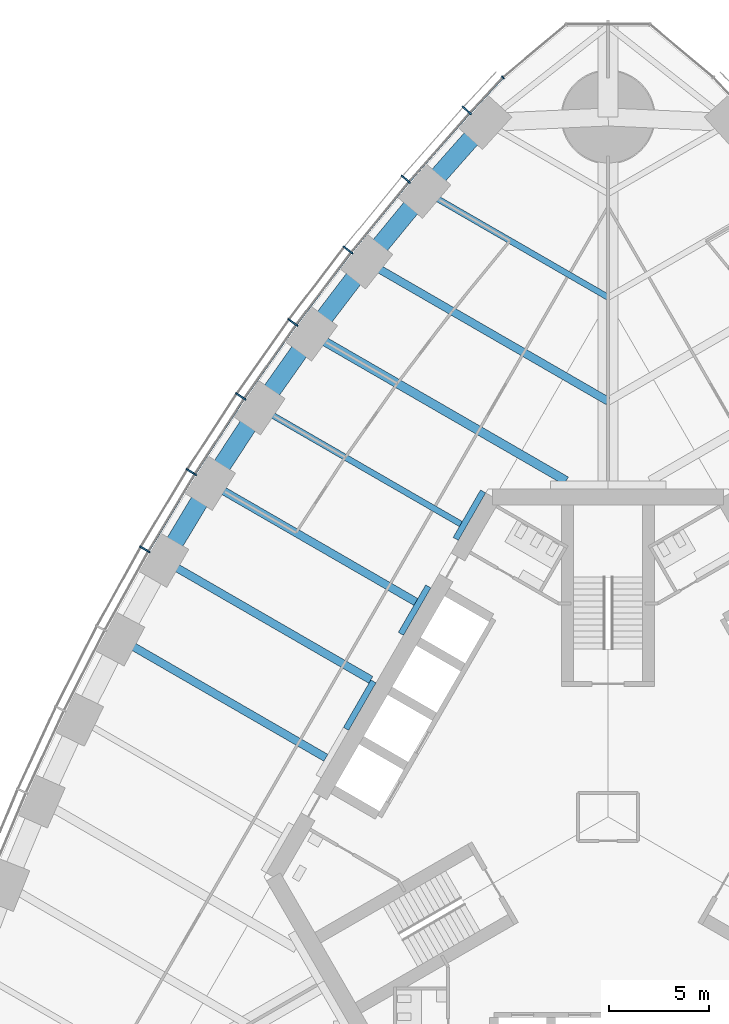
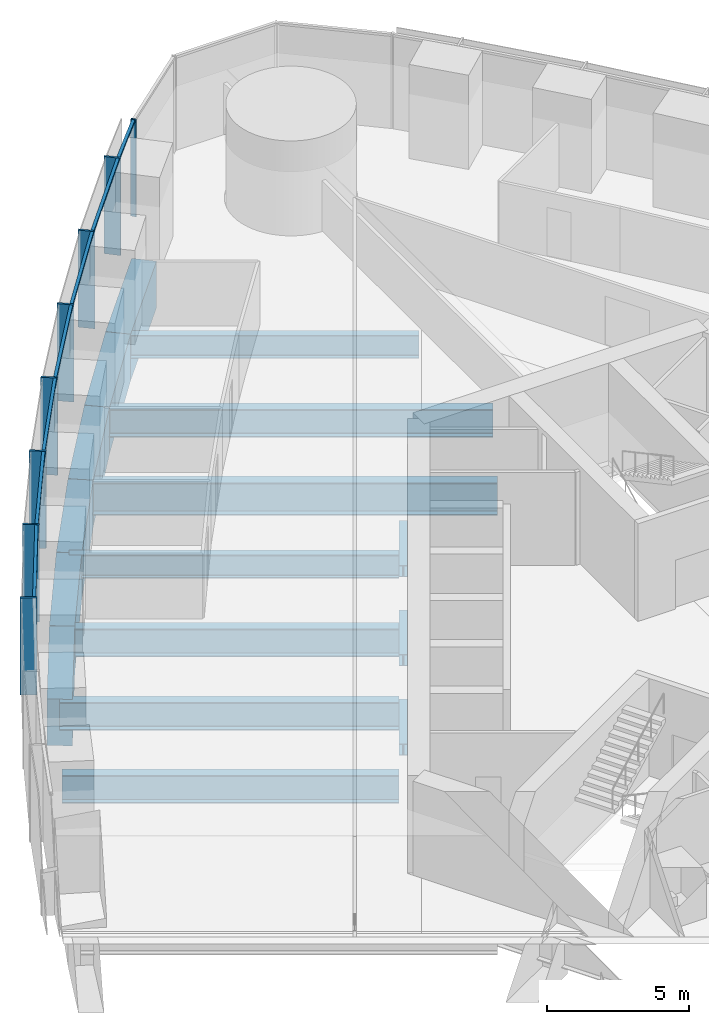
# One storey, part 4 of 18: 16 beams, 15 members, 2 elements without a shape of their own.
"""IFC4 building model written with IfcOpenShell, lengths in metres."""

from ifc_helpers import new_model, si_unit, direction, frame, origin, origin_2d, place, context, subcontext, project, spatial, rectangle, i_section, extrude, material, material_profile, profile_set, type_object, element, aggregate, save


model = new_model("IFC4")

# Units and contexts
model_context = context("Model", 3, precision=1e-05, world=origin(), true_north=direction((0.0, 1.0)))
body_context = subcontext(model_context, "Body", "Model", "MODEL_VIEW")
ifc_project = project(units=[si_unit("LENGTHUNIT", "METRE"), si_unit("AREAUNIT", "SQUARE_METRE"), si_unit("VOLUMEUNIT", "CUBIC_METRE"), si_unit("PLANEANGLEUNIT", "RADIAN"), si_unit("MASSUNIT", "GRAM", prefix="KILO")], contexts=[model_context])

# Site, building, storey
site_placement = place(None, origin())
site = spatial("IfcSite", under=ifc_project, at=site_placement, CompositionType="ELEMENT")
building_placement = place(site_placement, origin())
building = spatial("IfcBuilding", under=site, at=building_placement, Name="Trefoil Bronze Tower", CompositionType="ELEMENT")
storey_placement = place(building_placement, frame((0.0, 0.0, 115.699951171875)))
storey = spatial("IfcBuildingStorey", under=building, at=storey_placement, Name="L26", CompositionType="ELEMENT", Elevation=115.699951171875)

# Curtain wall, members
ifc_material_1 = material(Name="Tinted solar-control glass", Category="glass")
curtain_wall_type_1 = type_object("IfcCurtainWallType", Name="Bronze office curtain wall", PredefinedType="USERDEFINED", material=ifc_material_1)
curtain_wall_1_placement = place(storey_placement, origin())
curtain_wall_1 = element("IfcCurtainWall", 1, at=curtain_wall_1_placement, inside=storey, type_object=curtain_wall_type_1, Name="CW-A L26 F3", ObjectType="CURTAIN WALL", PredefinedType="USERDEFINED")
ifc_material_2 = material(Name="Bronze-finish aluminium", Category="aluminium")
ifc_material_profile_1 = material_profile(ifc_material_2, rectangle(XDim=0.60009765625, YDim=0.080078125, at=origin_2d()), Name="CW-A mullion")
ifc_profile_set_1 = profile_set([ifc_material_profile_1], Name="Bronze-finish aluminium")
member_type_1 = type_object("IfcMemberType", Name="Bronze office curtain wall mullion", PredefinedType="MULLION", material=ifc_profile_set_1)
member_1_placement = place(storey_placement, frame((-7.070068359375, 35.332275390625, 0.0), z_axis=(0.0, 0.0, 1.0), x_axis=(0.740360700327, -0.672209813534, 0.0)))
member_1 = element("IfcMember", 2, at=member_1_placement, type_object=member_type_1, Name="CW-A L26 F3 mullion 2", PredefinedType="MULLION", context=body_context, shape_type="SweptSolid", body=[
    extrude(rectangle(XDim=0.60009765625, YDim=0.080078125, at=origin_2d()), origin(), (0.0, 0.0, 1.0), 4.179931640625),
])
member_2_placement = place(storey_placement, frame((-10.11474609375, 31.8828125, 0.0), z_axis=(0.0, 0.0, 1.0), x_axis=(0.761721651066, -0.647904411389, 0.0)))
member_2 = element("IfcMember", 3, at=member_2_placement, type_object=member_type_1, Name="CW-A L26 F3 mullion 3", PredefinedType="MULLION", context=body_context, shape_type="SweptSolid", body=[
    extrude(rectangle(XDim=0.60009765625, YDim=0.080078125, at=origin_2d()), origin(), (0.0, 0.0, 1.0), 4.179931640625),
])
member_3_placement = place(storey_placement, frame((-13.01220703125, 28.34716796875, 0.0), z_axis=(0.0, 0.0, 1.0), x_axis=(0.78487913905, -0.619648882098, 0.0)))
member_3 = element("IfcMember", 4, at=member_3_placement, type_object=member_type_1, Name="CW-A L26 F3 mullion 4", PredefinedType="MULLION", context=body_context, shape_type="SweptSolid", body=[
    extrude(rectangle(XDim=0.60009765625, YDim=0.080078125, at=origin_2d()), origin(), (0.0, 0.0, 1.0), 4.179931640625),
])
member_4_placement = place(storey_placement, frame((-15.764404296875, 24.7275390625, 0.0), z_axis=(0.0, 0.0, 1.0), x_axis=(0.806874522901, -0.590722865897, 0.0)))
member_4 = element("IfcMember", 5, at=member_4_placement, type_object=member_type_1, Name="CW-A L26 F3 mullion 5", PredefinedType="MULLION", context=body_context, shape_type="SweptSolid", body=[
    extrude(rectangle(XDim=0.60009765625, YDim=0.080078125, at=origin_2d()), origin(), (0.0, 0.0, 1.0), 4.179931640625),
])
member_5_placement = place(storey_placement, frame((-18.373046875, 21.025146484375, 0.0), z_axis=(0.0, 0.0, 1.0), x_axis=(0.827723925749, -0.561135547566, 0.0)))
member_5 = element("IfcMember", 6, at=member_5_placement, type_object=member_type_1, Name="CW-A L26 F3 mullion 6", PredefinedType="MULLION", context=body_context, shape_type="SweptSolid", body=[
    extrude(rectangle(XDim=0.60009765625, YDim=0.080078125, at=origin_2d()), origin(), (0.0, 0.0, 1.0), 4.179931640625),
])
member_6_placement = place(storey_placement, frame((-20.840087890625, 17.24072265625, 0.0), z_axis=(0.0, 0.0, 1.0), x_axis=(0.84743864936, -0.530893337283, 0.0)))
member_6 = element("IfcMember", 7, at=member_6_placement, type_object=member_type_1, Name="CW-A L26 F3 mullion 7", PredefinedType="MULLION", context=body_context, shape_type="SweptSolid", body=[
    extrude(rectangle(XDim=0.60009765625, YDim=0.080078125, at=origin_2d()), origin(), (0.0, 0.0, 1.0), 4.179931640625),
])
member_7_placement = place(storey_placement, frame((-23.166015625, 13.374755859375, 0.0), z_axis=(0.0, 0.0, 1.0), x_axis=(0.866025403784, -0.5, 0.0)))
member_7 = element("IfcMember", 8, at=member_7_placement, type_object=member_type_1, Name="CW-A L26 F3 mullion 8", PredefinedType="MULLION", context=body_context, shape_type="SweptSolid", body=[
    extrude(rectangle(XDim=0.60009765625, YDim=0.080078125, at=origin_2d()), origin(), (0.0, 0.0, 1.0), 4.179931640625),
])
ifc_material_3 = material(Name="Bronze-finish aluminium", Category="aluminium")
ifc_material_profile_2 = material_profile(ifc_material_3, rectangle(XDim=0.1201171875, YDim=0.10009765625, at=origin_2d()), Name="CW-A transom")
ifc_profile_set_2 = profile_set([ifc_material_profile_2], Name="Bronze-finish aluminium")
member_type_2 = type_object("IfcMemberType", Name="Bronze office curtain wall transom", PredefinedType="USERDEFINED", material=ifc_profile_set_2)
member_8_placement = place(storey_placement, frame((-5.296630859375, 36.9384765625, 4.130126953125), z_axis=(-0.682489214428, -0.730895664366, 0.0), x_axis=(0.730895664366, -0.682489214428, 0.0)))
member_8 = element("IfcMember", 9, at=member_8_placement, type_object=member_type_2, Name="CW-A L26 F3 transom 1", ObjectType="TRANSOM", PredefinedType="USERDEFINED", context=body_context, shape_type="SweptSolid", body=[
    extrude(rectangle(XDim=0.1201171875, YDim=0.10009765625, at=origin_2d()), origin(), (0.0, 0.0, 1.0), 2.340087890625),
])
member_9_placement = place(storey_placement, frame((-6.949462890625, 35.166748046875, 4.130126953125), z_axis=(-0.66173618877, -0.749736764786, 0.0), x_axis=(0.749736764786, -0.66173618877, 0.0)))
member_9 = element("IfcMember", 10, at=member_9_placement, type_object=member_type_2, Name="CW-A L26 F3 transom 2", ObjectType="TRANSOM", PredefinedType="USERDEFINED", context=body_context, shape_type="SweptSolid", body=[
    extrude(rectangle(XDim=0.1201171875, YDim=0.10009765625, at=origin_2d()), origin(), (0.0, 0.0, 1.0), 4.510986328125),
])
member_10_placement = place(storey_placement, frame((-9.98876953125, 31.720947265625, 4.130126953125), z_axis=(-0.633848872297, -0.773456919995, 0.0), x_axis=(0.773456919995, -0.633848872297, 0.0)))
member_10 = element("IfcMember", 11, at=member_10_placement, type_object=member_type_2, Name="CW-A L26 F3 transom 3", ObjectType="TRANSOM", PredefinedType="USERDEFINED", context=body_context, shape_type="SweptSolid", body=[
    extrude(rectangle(XDim=0.1201171875, YDim=0.10009765625, at=origin_2d()), origin(), (0.0, 0.0, 1.0), 4.480224609375),
])
member_11_placement = place(storey_placement, frame((-12.880615234375, 28.18994140625, 4.130126953125), z_axis=(-0.605229114572, -0.796051329296, 0.0), x_axis=(0.796051329296, -0.605229114572, 0.0)))
member_11 = element("IfcMember", 12, at=member_11_placement, type_object=member_type_2, Name="CW-A L26 F3 transom 4", ObjectType="TRANSOM", PredefinedType="USERDEFINED", context=body_context, shape_type="SweptSolid", body=[
    extrude(rectangle(XDim=0.1201171875, YDim=0.10009765625, at=origin_2d()), origin(), (0.0, 0.0, 1.0), 4.456298828125),
])
member_12_placement = place(storey_placement, frame((-15.626953125, 24.5751953125, 4.130126953125), z_axis=(-0.576017858824, -0.817437108478, 0.0), x_axis=(0.817437108478, -0.576017858824, 0.0)))
member_12 = element("IfcMember", 13, at=member_12_placement, type_object=member_type_2, Name="CW-A L26 F3 transom 5", ObjectType="TRANSOM", PredefinedType="USERDEFINED", context=body_context, shape_type="SweptSolid", body=[
    extrude(rectangle(XDim=0.1201171875, YDim=0.10009765625, at=origin_2d()), origin(), (0.0, 0.0, 1.0), 4.4384765625),
])
member_13_placement = place(storey_placement, frame((-18.23046875, 20.877685546875, 4.130126953125), z_axis=(-0.546079336226, -0.837733465099, 0.0), x_axis=(0.837733465099, -0.546079336226, 0.0)))
member_13 = element("IfcMember", 14, at=member_13_placement, type_object=member_type_2, Name="CW-A L26 F3 transom 6", ObjectType="TRANSOM", PredefinedType="USERDEFINED", context=body_context, shape_type="SweptSolid", body=[
    extrude(rectangle(XDim=0.1201171875, YDim=0.10009765625, at=origin_2d()), origin(), (0.0, 0.0, 1.0), 4.426513671875),
])
member_14_placement = place(storey_placement, frame((-20.692138671875, 17.0986328125, 4.130126953125), z_axis=(-0.515526794174, -0.856873458854, 0.0), x_axis=(0.856873458854, -0.515526794174, 0.0)))
member_14 = element("IfcMember", 15, at=member_14_placement, type_object=member_type_2, Name="CW-A L26 F3 transom 7", ObjectType="TRANSOM", PredefinedType="USERDEFINED", context=body_context, shape_type="SweptSolid", body=[
    extrude(rectangle(XDim=0.1201171875, YDim=0.10009765625, at=origin_2d()), origin(), (0.0, 0.0, 1.0), 4.4208984375),
])
aggregate(curtain_wall_1, [member_1, member_2, member_3, member_4, member_5, member_6, member_7, member_8, member_9, member_10, member_11, member_12, member_13, member_14])

# Curtain wall, member
ifc_material_4 = material(Name="Tinted solar-control glass", Category="glass")
curtain_wall_type_2 = type_object("IfcCurtainWallType", Name="Bronze rounded corner curtain wall", PredefinedType="USERDEFINED", material=ifc_material_4)
curtain_wall_2_placement = place(storey_placement, origin())
curtain_wall_2 = element("IfcCurtainWall", 16, at=curtain_wall_2_placement, inside=storey, type_object=curtain_wall_type_2, Name="CW-B L26 K2", ObjectType="CURTAIN WALL", PredefinedType="USERDEFINED")
ifc_material_5 = material(Name="Bronze-finish aluminium", Category="aluminium")
ifc_material_profile_3 = material_profile(ifc_material_5, rectangle(XDim=0.199951171875, YDim=0.06005859375, at=origin_2d()), Name="CW-B mullion")
ifc_profile_set_3 = profile_set([ifc_material_profile_3], Name="Bronze-finish aluminium")
member_type_3 = type_object("IfcMemberType", Name="Bronze rounded corner curtain wall mullion", PredefinedType="MULLION", material=ifc_profile_set_3)
member_15_placement = place(storey_placement, frame((-5.260498046875, 36.975830078125, 0.0), z_axis=(0.0, 0.0, 1.0), x_axis=(0.642787609687, -0.766044443119, 0.0)))
member_15 = element("IfcMember", 17, at=member_15_placement, type_object=member_type_3, Name="CW-B L26 K2 mullion 4", PredefinedType="MULLION", context=body_context, shape_type="SweptSolid", body=[
    extrude(rectangle(XDim=0.199951171875, YDim=0.06005859375, at=origin_2d()), origin(), (0.0, 0.0, 1.0), 4.179931640625),
])
aggregate(curtain_wall_2, [member_15])

# Beams
ifc_material_6 = material(Name="Steel C355", Category="steel")
ifc_material_profile_4 = material_profile(ifc_material_6, i_section(OverallWidth=0.300048828125, OverallDepth=0.5, WebThickness=0.014404296875, FlangeThickness=0.028076171875, FilletRadius=0.027099609375, at=origin_2d()), Name="HEB 500")
ifc_profile_set_4 = profile_set([ifc_material_profile_4], Name="Steel C355")
beam_type_1 = type_object("IfcBeamType", Name="Core seat beam HEB 500", PredefinedType="BEAM", material=ifc_profile_set_4)
for number, where, z_axis, x_axis, name in (
    (18, (-6.249755859375, 16.27490234375, -0.449951171875), (-0.500035825175, -0.866004719122, 0.0), (0.866004719122, -0.500035825175, 0.0), "Core seat beam F3/-2 L26"),
    (19, (-8.9921875, 11.52490234375, -0.449951171875), (-0.500035825175, -0.866004719122, 0.0), (0.866004719122, -0.500035825175, 0.0), "Core seat beam F3/-1 L26"),
    (20, (-11.734619140625, 6.77490234375, -0.449951171875), (-0.500035825175, -0.866004719122, 0.0), (0.866004719122, -0.500035825175, 0.0), "Core seat beam F3/+0 L26"),
):
    element("IfcBeam", number, at=place(storey_placement, frame(where, z_axis=z_axis, x_axis=x_axis)), inside=storey, type_object=beam_type_1, Name=name, PredefinedType="BEAM", context=body_context, shape_type="SweptSolid", body=[
        extrude(i_section(OverallWidth=0.300048828125, OverallDepth=0.5, WebThickness=0.014404296875, FlangeThickness=0.028076171875, FilletRadius=0.027099609375, at=origin_2d()), origin(), (0.0, 0.0, 1.0), 2.742431640625),
    ])
ifc_material_7 = material(Name="Steel C355", Category="steel")
ifc_material_profile_5 = material_profile(ifc_material_7, i_section(OverallWidth=0.300048828125, OverallDepth=1.0, WebThickness=0.01904296875, FlangeThickness=0.035888671875, FilletRadius=0.030029296875, at=origin_2d()), Name="HEB 1000")
ifc_profile_set_5 = profile_set([ifc_material_profile_5], Name="Steel C355")
beam_type_2 = type_object("IfcBeamType", Name="Floor beam HEB 1000", PredefinedType="BEAM", material=ifc_profile_set_5)
beam_1_placement = place(storey_placement, frame((-9.181884765625, 31.281982421875, -0.699951171875), z_axis=(0.866021079084, -0.500007490527, 0.0), x_axis=(0.500007490527, 0.866021079084, 0.0)))
element("IfcBeam", 21, at=beam_1_placement, inside=storey, type_object=beam_type_2, Name="Floor beam F3/-5 L26", PredefinedType="BEAM", context=body_context, shape_type="SweptSolid", body=[
    extrude(i_section(OverallWidth=0.300048828125, OverallDepth=1.0, WebThickness=0.01904296875, FlangeThickness=0.035888671875, FilletRadius=0.030029296875, at=origin_2d()), origin(), (0.0, 0.0, 1.0), 10.602294921875),
])
ifc_material_8 = material(Name="Steel C355", Category="steel")
ifc_material_profile_6 = material_profile(ifc_material_8, i_section(OverallWidth=0.302001953125, OverallDepth=1.008056640625, WebThickness=0.02099609375, FlangeThickness=0.0400390625, FilletRadius=0.030029296875, at=origin_2d()), Name="HEM 1000")
ifc_profile_set_6 = profile_set([ifc_material_profile_6], Name="Steel C355")
beam_type_3 = type_object("IfcBeamType", Name="Floor beam HEM 1000", PredefinedType="BEAM", material=ifc_profile_set_6)
beam_2_placement = place(storey_placement, frame((-17.43017578125, 20.45556640625, -0.703857421875), z_axis=(0.866030626868, -0.499990953245, 0.0), x_axis=(0.499990953245, 0.866030626868, 0.0)))
element("IfcBeam", 22, at=beam_2_placement, inside=storey, type_object=beam_type_3, Name="Floor beam F3/-2 L26", PredefinedType="BEAM", context=body_context, shape_type="SweptSolid", body=[
    extrude(i_section(OverallWidth=0.302001953125, OverallDepth=1.008056640625, WebThickness=0.02099609375, FlangeThickness=0.0400390625, FilletRadius=0.030029296875, at=origin_2d()), origin(), (0.0, 0.0, 1.0), 11.622802734375),
])
ifc_material_9 = material(Name="Steel C355", Category="steel")
ifc_material_profile_7 = material_profile(ifc_material_9, i_section(OverallWidth=0.39990234375, OverallDepth=1.199951171875, WebThickness=0.02001953125, FlangeThickness=0.0400390625, FilletRadius=0.010009765625, at=origin_2d()), Name="WPG 1200")
ifc_profile_set_7 = profile_set([ifc_material_profile_7], Name="Steel C355")
beam_type_4 = type_object("IfcBeamType", Name="Floor beam WPG 1200", PredefinedType="BEAM", material=ifc_profile_set_7)
beam_3_placement = place(storey_placement, frame((-12.07666015625, 27.757080078125, -0.800048828125), z_axis=(0.866026983775, -0.499997263366, 0.0), x_axis=(0.499997263366, 0.866026983775, 0.0)))
element("IfcBeam", 23, at=beam_3_placement, inside=storey, type_object=beam_type_4, Name="Floor beam F3/-4 L26", PredefinedType="BEAM", context=body_context, shape_type="SweptSolid", body=[
    extrude(i_section(OverallWidth=0.39990234375, OverallDepth=1.199951171875, WebThickness=0.02001953125, FlangeThickness=0.0400390625, FilletRadius=0.010009765625, at=origin_2d()), origin(), (0.0, 0.0, 1.0), 13.94482421875),
])
beam_4_placement = place(storey_placement, frame((-19.892578125, 16.68115234375, -0.800048828125), z_axis=(0.866024236736, -0.500002021381, 0.0), x_axis=(0.500002021381, 0.866024236736, 0.0)))
element("IfcBeam", 24, at=beam_4_placement, inside=storey, type_object=beam_type_4, Name="Floor beam F3/-1 L26", PredefinedType="BEAM", context=body_context, shape_type="SweptSolid", body=[
    extrude(i_section(OverallWidth=0.39990234375, OverallDepth=1.199951171875, WebThickness=0.02001953125, FlangeThickness=0.0400390625, FilletRadius=0.010009765625, at=origin_2d()), origin(), (0.0, 0.0, 1.0), 11.8681640625),
])
beam_5_placement = place(storey_placement, frame((-22.21337890625, 12.824951171875, -0.800048828125), z_axis=(0.866028062731, -0.499995394541, 0.0), x_axis=(0.499995394541, 0.866028062731, 0.0)))
element("IfcBeam", 25, at=beam_5_placement, inside=storey, type_object=beam_type_4, Name="Floor beam F3/+0 L26", PredefinedType="BEAM", context=body_context, shape_type="SweptSolid", body=[
    extrude(i_section(OverallWidth=0.39990234375, OverallDepth=1.199951171875, WebThickness=0.02001953125, FlangeThickness=0.0400390625, FilletRadius=0.010009765625, at=origin_2d()), origin(), (0.0, 0.0, 1.0), 11.94970703125),
])
beam_6_placement = place(storey_placement, frame((-24.392578125, 8.886962890625, -0.800048828125), z_axis=(0.866024236736, -0.500002021381, 0.0), x_axis=(0.500002021381, 0.866024236736, 0.0)))
element("IfcBeam", 26, at=beam_6_placement, inside=storey, type_object=beam_type_4, Name="Floor beam F3/+1 L26", PredefinedType="BEAM", context=body_context, shape_type="SweptSolid", body=[
    extrude(i_section(OverallWidth=0.39990234375, OverallDepth=1.199951171875, WebThickness=0.02001953125, FlangeThickness=0.0400390625, FilletRadius=0.010009765625, at=origin_2d()), origin(), (0.0, 0.0, 1.0), 11.8681640625),
])
ifc_material_10 = material(Name="Steel C355", Category="steel")
ifc_material_profile_8 = material_profile(ifc_material_10, i_section(OverallWidth=0.449951171875, OverallDepth=1.39990234375, WebThickness=0.02294921875, FlangeThickness=0.044921875, FilletRadius=0.011962890625, at=origin_2d()), Name="WPG 1400")
ifc_profile_set_8 = profile_set([ifc_material_profile_8], Name="Steel C355")
beam_type_5 = type_object("IfcBeamType", Name="Floor beam WPG 1400", PredefinedType="BEAM", material=ifc_profile_set_8)
beam_7_placement = place(storey_placement, frame((-14.825439453125, 24.14794921875, -0.89990234375), z_axis=(0.866027342682, -0.499996641717, 0.0), x_axis=(0.499996641717, 0.866027342682, 0.0)))
element("IfcBeam", 27, at=beam_7_placement, inside=storey, type_object=beam_type_5, Name="Floor beam F3/-3 L26", PredefinedType="BEAM", context=body_context, shape_type="SweptSolid", body=[
    extrude(i_section(OverallWidth=0.449951171875, OverallDepth=1.39990234375, WebThickness=0.02294921875, FlangeThickness=0.044921875, FilletRadius=0.011962890625, at=origin_2d()), origin(), (0.0, 0.0, 1.0), 14.69580078125),
])
ifc_material_11 = material(Name="Concrete B80", Category="concrete")
ifc_material_profile_9 = material_profile(ifc_material_11, rectangle(XDim=0.89990234375, YDim=2.0, at=origin_2d()), Name="RC 900x2000")
ifc_profile_set_9 = profile_set([ifc_material_profile_9], Name="Concrete B80")
beam_type_6 = type_object("IfcBeamType", Name="Spandrel beam RC 900x2000", PredefinedType="SPANDREL", material=ifc_profile_set_9)
beam_8_placement = place(storey_placement, frame((-6.13916015625, 34.72119140625, -1.199951171875), z_axis=(-0.662616326239, -0.748959013699, 0.0), x_axis=(0.748959013699, -0.662616326239, 0.0)))
element("IfcBeam", 28, at=beam_8_placement, inside=storey, type_object=beam_type_6, Name="Spandrel F3.2 L26", PredefinedType="SPANDREL", context=body_context, shape_type="SweptSolid", body=[
    extrude(rectangle(XDim=0.89990234375, YDim=2.0, at=origin_2d()), origin(), (0.0, 0.0, 1.0), 4.592041015625),
])
beam_9_placement = place(storey_placement, frame((-9.181884765625, 31.281982421875, -1.199951171875), z_axis=(-0.634650386838, -0.772799383079, 0.0), x_axis=(0.772799383079, -0.634650386838, 0.0)))
element("IfcBeam", 29, at=beam_9_placement, inside=storey, type_object=beam_type_6, Name="Spandrel F3.3 L26", PredefinedType="SPANDREL", context=body_context, shape_type="SweptSolid", body=[
    extrude(rectangle(XDim=0.89990234375, YDim=2.0, at=origin_2d()), origin(), (0.0, 0.0, 1.0), 4.561279296875),
])
beam_10_placement = place(storey_placement, frame((-12.07666015625, 27.757080078125, -1.199951171875), z_axis=(-0.605898901788, -0.795541652468, 0.0), x_axis=(0.795541652468, -0.605898901788, 0.0)))
element("IfcBeam", 30, at=beam_10_placement, inside=storey, type_object=beam_type_6, Name="Spandrel F3.4 L26", PredefinedType="SPANDREL", context=body_context, shape_type="SweptSolid", body=[
    extrude(rectangle(XDim=0.89990234375, YDim=2.0, at=origin_2d()), origin(), (0.0, 0.0, 1.0), 4.53662109375),
])
beam_11_placement = place(storey_placement, frame((-14.825439453125, 24.14794921875, -1.199951171875), z_axis=(-0.576439228712, -0.81714002203, 0.0), x_axis=(0.81714002203, -0.576439228712, 0.0)))
element("IfcBeam", 31, at=beam_11_placement, inside=storey, type_object=beam_type_6, Name="Spandrel F3.5 L26", PredefinedType="SPANDREL", context=body_context, shape_type="SweptSolid", body=[
    extrude(rectangle(XDim=0.89990234375, YDim=2.0, at=origin_2d()), origin(), (0.0, 0.0, 1.0), 4.5185546875),
])
beam_12_placement = place(storey_placement, frame((-17.43017578125, 20.45556640625, -1.199951171875), z_axis=(-0.546396670296, -0.83752652417, 0.0), x_axis=(0.83752652417, -0.546396670296, 0.0)))
element("IfcBeam", 32, at=beam_12_placement, inside=storey, type_object=beam_type_6, Name="Spandrel F3.6 L26", PredefinedType="SPANDREL", context=body_context, shape_type="SweptSolid", body=[
    extrude(rectangle(XDim=0.89990234375, YDim=2.0, at=origin_2d()), origin(), (0.0, 0.0, 1.0), 4.506591796875),
])
beam_13_placement = place(storey_placement, frame((-19.892578125, 16.68115234375, -1.199951171875), z_axis=(-0.515651979972, -0.856798129988, 0.0), x_axis=(0.856798129988, -0.515651979972, 0.0)))
element("IfcBeam", 33, at=beam_13_placement, inside=storey, type_object=beam_type_6, Name="Spandrel F3.7 L26", PredefinedType="SPANDREL", context=body_context, shape_type="SweptSolid", body=[
    extrude(rectangle(XDim=0.89990234375, YDim=2.0, at=origin_2d()), origin(), (0.0, 0.0, 1.0), 4.500732421875),
])

save(model, "model.ifc")
